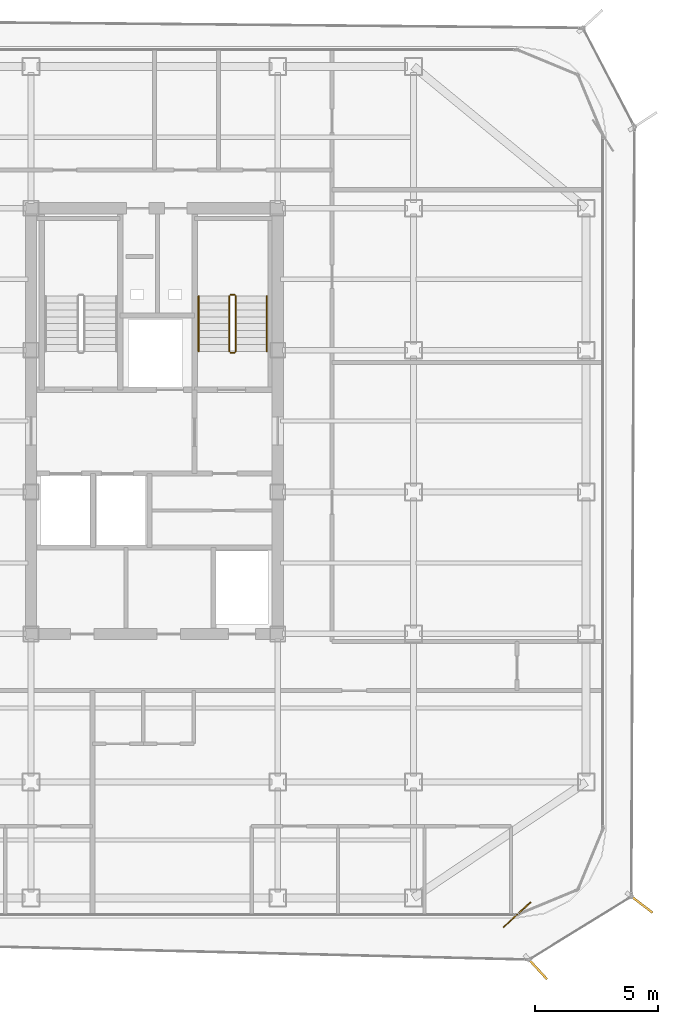
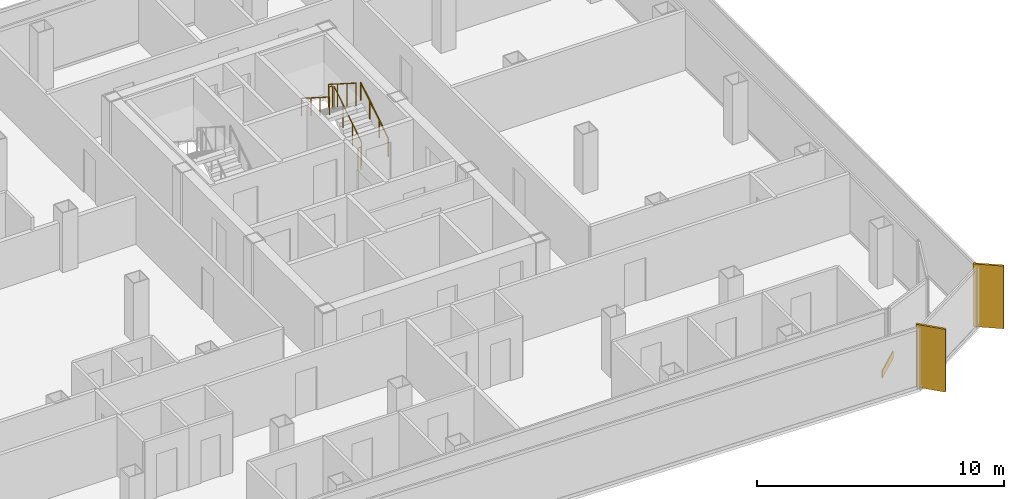
# One storey, part 14 of 15: 6 railings, 2 shading devices, 1 covering.
"""IFC4 building model written with IfcOpenShell, lengths in metres."""

import ifcopenshell
import ifcopenshell.guid

model = None  # the IFC model being written
_history = None  # IfcOwnerHistory: only IFC2X3 demands one
_inside = {}  # id of a spatial element -> (the spatial element, [elements in it])
_under = {}  # id of a project, library or spatial element -> (it, [spatial elements below it])
_declared = {}  # id of a project -> (the project, [libraries it declares])
_typed = {}  # id of a type object -> (the type object, [elements of that type])
_made_of = {}  # id of a material, layer set ... -> (it, [elements and type objects made of it])


def new_model(schema):
    """Start an empty IFC model of exactly this schema.

    Asked for "IFC4X3", IfcOpenShell would pick the latest addendum, in which some entities
    have other attributes; the version numbers below select the first issue.
    IFC2X3 requires an IfcOwnerHistory on every rooted entity: one is made here for all.
    """
    global model, _history
    if schema == "IFC4X3":
        model = ifcopenshell.file(schema_version=(4, 3, 0, 0))
    else:
        model = ifcopenshell.file(schema=schema)
    _inside.clear()
    _under.clear()
    _declared.clear()
    _typed.clear()
    _made_of.clear()
    _history = None
    if model.schema == "IFC2X3":
        org = make("IfcOrganization", Name="unknown")
        user = make(
            "IfcPersonAndOrganization",
            ThePerson=make("IfcPerson", FamilyName="unknown"),
            TheOrganization=org,
        )
        app = make(
            "IfcApplication",
            ApplicationDeveloper=org,
            Version="unknown",
            ApplicationFullName="unknown",
            ApplicationIdentifier="unknown",
        )
        _history = make(
            "IfcOwnerHistory",
            OwningUser=user,
            OwningApplication=app,
            ChangeAction="ADDED",
            CreationDate=0,
        )
    return model


def make(cls, **values):
    """One entity of the class cls with the attributes given. An attribute that is None is left unset."""
    return model.create_entity(
        cls, **{name: value for name, value in values.items() if value is not None}
    )


def rooted(cls, **values):
    """An entity with a GlobalId (a new one), such as an element, a storey or a relation."""
    return make(cls, GlobalId=ifcopenshell.guid.new(), OwnerHistory=_history, **values)


def si_unit(unit_type, name, prefix=None):
    """IfcSIUnit, for example si_unit("LENGTHUNIT", "METRE", prefix="MILLI")."""
    return make("IfcSIUnit", UnitType=unit_type, Prefix=prefix, Name=name)


def assignment(units):
    """IfcUnitAssignment: the units of a project."""
    return None if units is None else make("IfcUnitAssignment", Units=units)


def point(xyz):
    """IfcCartesianPoint."""
    return None if xyz is None else make("IfcCartesianPoint", Coordinates=xyz)


def direction(xyz):
    """IfcDirection."""
    return None if xyz is None else make("IfcDirection", DirectionRatios=xyz)


def frame(location, z_axis=None, x_axis=None):
    """IfcAxis2Placement3D, a coordinate frame: its origin and axes. An axis left out is left unset."""
    return make(
        "IfcAxis2Placement3D",
        Location=point(location),
        Axis=direction(z_axis),
        RefDirection=direction(x_axis),
    )


def frame_2d(location, x_axis=None):
    """IfcAxis2Placement2D, a coordinate frame in the plane: its origin and x axis."""
    return make(
        "IfcAxis2Placement2D", Location=point(location), RefDirection=direction(x_axis)
    )


def origin():
    """The frame at (0, 0, 0) with its axes left unset."""
    return frame((0.0, 0.0, 0.0))


def origin_2d():
    """The frame at (0, 0) in the plane with its x axis left unset."""
    return frame_2d((0.0, 0.0))


def place(relative_to, where):
    """IfcLocalPlacement: puts the frame where relative to a parent placement (None: the world)."""
    return make(
        "IfcLocalPlacement", PlacementRelTo=relative_to, RelativePlacement=where
    )


def context(
    kind, dimensions, precision=None, world=None, true_north=None, identifier=None
):
    """IfcGeometricRepresentationContext, for example the 3D "Model" context."""
    return make(
        "IfcGeometricRepresentationContext",
        ContextIdentifier=identifier,
        ContextType=kind,
        CoordinateSpaceDimension=dimensions,
        Precision=precision,
        WorldCoordinateSystem=world,
        TrueNorth=true_north,
    )


def subcontext(parent, identifier, kind, view, scale=None):
    """IfcGeometricRepresentationSubContext, for example "Body" below "Model"."""
    return make(
        "IfcGeometricRepresentationSubContext",
        ContextIdentifier=identifier,
        ContextType=kind,
        ParentContext=parent,
        TargetScale=scale,
        TargetView=view,
    )


def project(units=None, contexts=None):
    """IfcProject with its units and contexts."""
    return rooted(
        "IfcProject",
        Name="project",
        RepresentationContexts=contexts,
        UnitsInContext=assignment(units),
    )


def spatial(cls, under=None, at=None, **own):
    """A site, building, storey or space (cls), placed at a placement, below another one or the project."""
    s = rooted(cls, ObjectPlacement=at, **own)
    if under is not None:
        _under.setdefault(under.id(), (under, []))[1].append(s)
    return s


def profile(cls, at=None, kind="AREA", **sizes):
    """A parametric profile (cls). Its sizes go by their IFC names, for example OverallWidth=200.0."""
    return make(cls, ProfileType=kind, Position=at, **sizes)


def rectangle(**sizes):
    """IfcRectangleProfileDef."""
    return profile("IfcRectangleProfileDef", **sizes)


def circle(**sizes):
    """IfcCircleProfileDef."""
    return profile("IfcCircleProfileDef", **sizes)


def extrude(swept, where, along, depth):
    """IfcExtrudedAreaSolid: the profile swept, set in the frame where, extruded along a direction by depth."""
    return make(
        "IfcExtrudedAreaSolid",
        SweptArea=swept,
        Position=where,
        ExtrudedDirection=direction(along),
        Depth=depth,
    )


def shape(context_of_items, identifier, shape_type, items):
    """IfcShapeRepresentation: the items that make up one representation, for example the "Body"."""
    return make(
        "IfcShapeRepresentation",
        ContextOfItems=context_of_items,
        RepresentationIdentifier=identifier,
        RepresentationType=shape_type,
        Items=items,
    )


def source(mapping_origin, context_of_items, identifier, shape_type, items):
    """IfcRepresentationMap: a shape defined once, which mapped items show again and again."""
    return make(
        "IfcRepresentationMap",
        MappingOrigin=mapping_origin,
        MappedRepresentation=shape(context_of_items, identifier, shape_type, items),
    )


def transform(
    local_origin,
    x_axis=None,
    y_axis=None,
    z_axis=None,
    scale=None,
    scale2=None,
    scale3=None,
    uniform=True,
):
    """IfcCartesianTransformationOperator3D, or its non-uniform kind. x_axis, y_axis, z_axis: its Axis1, 2, 3."""
    if uniform:
        return make(
            "IfcCartesianTransformationOperator3D",
            Axis1=direction(x_axis),
            Axis2=direction(y_axis),
            LocalOrigin=point(local_origin),
            Scale=scale,
            Axis3=direction(z_axis),
        )
    return make(
        "IfcCartesianTransformationOperator3DnonUniform",
        Axis1=direction(x_axis),
        Axis2=direction(y_axis),
        LocalOrigin=point(local_origin),
        Scale=scale,
        Axis3=direction(z_axis),
        Scale2=scale2,
        Scale3=scale3,
    )


def mapped(mapping_source, mapping_target):
    """IfcMappedItem: shows the shape of a source again, moved by a transform."""
    return make(
        "IfcMappedItem", MappingSource=mapping_source, MappingTarget=mapping_target
    )


def material(Name=None, Category=None):
    """IfcMaterial."""
    return make("IfcMaterial", Name=Name, Category=Category)


def layer(
    of_material, thickness, ventilated=None, Name=None, Category=None, Priority=None
):
    """IfcMaterialLayer: one layer of a wall or slab, of a material (None: an air gap)."""
    return make(
        "IfcMaterialLayer",
        Material=of_material,
        LayerThickness=thickness,
        IsVentilated=ventilated,
        Name=Name,
        Category=Category,
        Priority=Priority,
    )


def layer_set(layers, Name=None):
    """IfcMaterialLayerSet."""
    return make("IfcMaterialLayerSet", MaterialLayers=layers, LayerSetName=Name)


def made_of(thing, what):
    """Note that an element or type object is made of a material, layer set ...; save() writes the relation."""
    if what is not None:
        _made_of.setdefault(what.id(), (what, []))[1].append(thing)
    return thing


def type_object(cls, material=None, **own):
    """A type object (cls), such as IfcWallType, which elements share."""
    return made_of(rooted(cls, **own), material)


def element(
    cls,
    number,
    at=None,
    inside=None,
    cuts=None,
    type_object=None,
    material=None,
    context=None,
    identifier="Body",
    shape_type=None,
    held_by="IfcProductDefinitionShape",
    body=None,
    shapes=None,
    **own,
):
    """One element of the class cls, such as IfcWall. Its Tag is "e" and its number.

    at: its placement. inside: the storey or other place that contains it. cuts: it is an
    opening in that element (IfcRelVoidsElement). A single representation is given by context,
    identifier, shape_type and body (its items); several are given by shapes. held_by: the class
    of the entity that holds the representations. save() writes the other relations.
    """
    e = rooted(cls, Tag="e%d" % number, ObjectPlacement=at, **own)
    if body is not None:
        shapes = [shape(context, identifier, shape_type, body)]
    if shapes is not None:
        e.Representation = make(held_by, Representations=shapes)
    if inside is not None:
        _inside.setdefault(inside.id(), (inside, []))[1].append(e)
    if cuts is not None:
        rooted(
            "IfcRelVoidsElement", RelatingBuildingElement=cuts, RelatedOpeningElement=e
        )
    if type_object is not None:
        _typed.setdefault(type_object.id(), (type_object, []))[1].append(e)
    return made_of(e, material)


def aggregate(whole, parts):
    """IfcRelAggregates: a whole, such as a stair, and the parts it consists of."""
    return rooted("IfcRelAggregates", RelatingObject=whole, RelatedObjects=parts)


def save(model, path):
    """Write the relations noted so far, then the file.

    IfcRelAggregates (storeys below a building ...), IfcRelContainedInSpatialStructure (elements
    in a storey), IfcRelDefinesByType, IfcRelAssociatesMaterial and IfcRelDeclares: one each for
    every whole, place, type object, material and project.
    """
    for whole, parts in _under.values():
        aggregate(whole, parts)
    for where, things in _inside.values():
        rooted(
            "IfcRelContainedInSpatialStructure",
            RelatedElements=things,
            RelatingStructure=where,
        )
    for kind, things in _typed.values():
        rooted("IfcRelDefinesByType", RelatedObjects=things, RelatingType=kind)
    for what, things in _made_of.values():
        rooted("IfcRelAssociatesMaterial", RelatedObjects=things, RelatingMaterial=what)
    for by, libraries in _declared.values():
        rooted("IfcRelDeclares", RelatingContext=by, RelatedDefinitions=libraries)
    model.write(path)


model = new_model("IFC4")

# Units and contexts
model_context = context("Model", 3, precision=1e-05, world=origin(), true_north=direction((0.0, 1.0)))
body_context = subcontext(model_context, "Body", "Model", "MODEL_VIEW")
ifc_project = project(units=[si_unit("LENGTHUNIT", "METRE"), si_unit("AREAUNIT", "SQUARE_METRE"), si_unit("VOLUMEUNIT", "CUBIC_METRE"), si_unit("PLANEANGLEUNIT", "RADIAN"), si_unit("MASSUNIT", "GRAM", prefix="KILO")], contexts=[model_context])

# Site, building, storey
site_placement = place(None, origin())
site = spatial("IfcSite", under=ifc_project, at=site_placement, CompositionType="ELEMENT")
building_placement = place(site_placement, origin())
building = spatial("IfcBuilding", under=site, at=building_placement, Name="Kolveth Station Tower", CompositionType="ELEMENT")
storey_placement = place(building_placement, frame((0.0, 0.0, 181.699951171875)))
storey = spatial("IfcBuildingStorey", under=building, at=storey_placement, Name="L51", CompositionType="ELEMENT", Elevation=181.699951171875)

# Railings
ifc_material_1 = material(Name="Painted Steel S355 balustrade", Category="steel")
railing_type_1 = type_object("IfcRailingType", Name="Guard_GR2", PredefinedType="BALUSTRADE", material=ifc_material_1)
railing_1_placement = place(storey_placement, frame((26.800048828125, 22.949951171875, 0.177734375)))
element("IfcRailing", 1, at=railing_1_placement, inside=storey, type_object=railing_type_1, Name="L51 ST2 stair guard 1", PredefinedType="BALUSTRADE", context=body_context, shape_type="SweptSolid", body=[
    extrude(circle(Radius=0.02392578125, at=origin_2d()), frame((0.0, 0.0, 1.1259765625), z_axis=(0.0, 0.84418770128, 0.536047689118), x_axis=(-1.0, 0.0, 0.0)), (0.0, 0.0, 1.0), 2.6533203125),
    extrude(circle(Radius=0.02099609375, at=origin_2d()), origin(), (0.0, 0.0, 1.0), 1.101806640625),
    extrude(circle(Radius=0.02099609375, at=origin_2d()), frame((0.0, 0.74658203125, 0.47412109375)), (0.0, 0.0, 1.0), 1.101806640625),
    extrude(circle(Radius=0.02099609375, at=origin_2d()), frame((0.0, 1.493408203125, 0.9482421875)), (0.0, 0.0, 1.0), 1.101806640625),
    extrude(circle(Radius=0.02099609375, at=origin_2d()), frame((0.0, 2.239990234375, 1.42236328125)), (0.0, 0.0, 1.0), 1.101806640625),
])
railing_2_placement = place(storey_placement, frame((26.75, 25.239990234375, 1.60009765625)))
element("IfcRailing", 2, at=railing_2_placement, inside=storey, type_object=railing_type_1, Name="L51 ST2 stair guard 2", PredefinedType="BALUSTRADE", context=body_context, shape_type="SweptSolid", body=[
    extrude(circle(Radius=0.02392578125, at=origin_2d()), frame((0.0, 0.0, 1.1259765625), z_axis=(-1.0, 0.0, 0.0), x_axis=(0.0, -1.0, 0.0)), (0.0, 0.0, 1.0), 0.159912109375),
    extrude(circle(Radius=0.02099609375, at=origin_2d()), origin(), (0.0, 0.0, 1.0), 1.101806640625),
    extrude(circle(Radius=0.02099609375, at=origin_2d()), frame((-0.159912109375, 0.0, 0.0)), (0.0, 0.0, 1.0), 1.101806640625),
])
railing_3_placement = place(storey_placement, frame((26.5400390625, 25.18994140625, 1.77783203125)))
element("IfcRailing", 3, at=railing_3_placement, inside=storey, type_object=railing_type_1, Name="L51 ST2 stair guard 3", PredefinedType="BALUSTRADE", context=body_context, shape_type="SweptSolid", body=[
    extrude(circle(Radius=0.02392578125, at=origin_2d()), frame((0.0, 0.0, 1.1259765625), z_axis=(0.0, -0.8442293374, 0.53598211339), x_axis=(1.0, 0.0, 0.0)), (0.0, 0.0, 1.0), 2.6533203125),
    extrude(circle(Radius=0.02099609375, at=origin_2d()), origin(), (0.0, 0.0, 1.0), 1.101806640625),
    extrude(circle(Radius=0.02099609375, at=origin_2d()), frame((0.0, -0.74658203125, 0.47412109375)), (0.0, 0.0, 1.0), 1.101806640625),
    extrude(circle(Radius=0.02099609375, at=origin_2d()), frame((0.0, -1.493408203125, 0.947998046875)), (0.0, 0.0, 1.0), 1.101806640625),
    extrude(circle(Radius=0.02099609375, at=origin_2d()), frame((0.0, -2.239990234375, 1.422119140625)), (0.0, 0.0, 1.0), 1.101806640625),
])
railing_4_placement = place(storey_placement, frame((26.75, 22.89990234375, 0.0)))
element("IfcRailing", 4, at=railing_4_placement, inside=storey, type_object=railing_type_1, Name="L51 ST2 stair guard 4", PredefinedType="BALUSTRADE", context=body_context, shape_type="SweptSolid", body=[
    extrude(circle(Radius=0.02392578125, at=origin_2d()), frame((0.0, 0.0, 1.1259765625), z_axis=(-1.0, 0.0, 0.0), x_axis=(0.0, -1.0, 0.0)), (0.0, 0.0, 1.0), 0.159912109375),
    extrude(circle(Radius=0.02099609375, at=origin_2d()), origin(), (0.0, 0.0, 1.0), 1.101806640625),
    extrude(circle(Radius=0.02099609375, at=origin_2d()), frame((-0.159912109375, 0.0, 0.0)), (0.0, 0.0, 1.0), 1.101806640625),
])
ifc_material_2 = material(Name="Brushed stainless steel", Category="steel")
railing_type_2 = type_object("IfcRailingType", Name="Handrail_HR1", PredefinedType="HANDRAIL", material=ifc_material_2)
railing_5_placement = place(storey_placement, frame((28.050048828125, 22.949951171875, 0.177734375)))
element("IfcRailing", 5, at=railing_5_placement, inside=storey, type_object=railing_type_2, Name="L51 ST2 stair handrail 1", PredefinedType="HANDRAIL", context=body_context, shape_type="SweptSolid", body=[
    extrude(circle(Radius=0.02392578125, at=origin_2d()), frame((0.0, 0.0, 0.8759765625), z_axis=(0.0, 0.84418770128, 0.536047689118), x_axis=(-1.0, 0.0, 0.0)), (0.0, 0.0, 1.0), 2.6533203125),
    extrude(circle(Radius=0.02099609375, at=origin_2d()), origin(), (0.0, 0.0, 1.0), 0.851806640625),
    extrude(circle(Radius=0.02099609375, at=origin_2d()), frame((0.0, 0.74658203125, 0.47412109375)), (0.0, 0.0, 1.0), 0.851806640625),
    extrude(circle(Radius=0.02099609375, at=origin_2d()), frame((0.0, 1.493408203125, 0.9482421875)), (0.0, 0.0, 1.0), 0.851806640625),
    extrude(circle(Radius=0.02099609375, at=origin_2d()), frame((0.0, 2.239990234375, 1.42236328125)), (0.0, 0.0, 1.0), 0.851806640625),
])
railing_6_placement = place(storey_placement, frame((25.2900390625, 25.18994140625, 1.77783203125)))
element("IfcRailing", 6, at=railing_6_placement, inside=storey, type_object=railing_type_2, Name="L51 ST2 stair handrail 2", PredefinedType="HANDRAIL", context=body_context, shape_type="SweptSolid", body=[
    extrude(circle(Radius=0.02392578125, at=origin_2d()), frame((0.0, 0.0, 0.8759765625), z_axis=(0.0, -0.8442293374, 0.53598211339), x_axis=(1.0, 0.0, 0.0)), (0.0, 0.0, 1.0), 2.6533203125),
    extrude(circle(Radius=0.02099609375, at=origin_2d()), origin(), (0.0, 0.0, 1.0), 0.851806640625),
    extrude(circle(Radius=0.02099609375, at=origin_2d()), frame((0.0, -0.74658203125, 0.47412109375)), (0.0, 0.0, 1.0), 0.851806640625),
    extrude(circle(Radius=0.02099609375, at=origin_2d()), frame((0.0, -1.493408203125, 0.947998046875)), (0.0, 0.0, 1.0), 0.851806640625),
    extrude(circle(Radius=0.02099609375, at=origin_2d()), frame((0.0, -2.239990234375, 1.422119140625)), (0.0, 0.0, 1.0), 0.851806640625),
])

# Shading devices
ifc_material_3 = material(Name="Black anodized aluminium 6063-T6", Category="aluminium")
shading_device_type = type_object("IfcShadingDeviceType", Name="FIN_VF1", PredefinedType="USERDEFINED", material=ifc_material_3)
shared_shape_1 = source(origin(), body_context, "Body", "SweptSolid", [
    extrude(rectangle(XDim=1.25, YDim=0.090087890625, at=origin_2d()), origin(), (0.0, 0.0, 1.0), 3.10009765625),
])
for number, where, z_axis, x_axis, name in (
    (7, (38.989990234375, -2.035888671875, 0.0), (0.0, 0.0, 1.0), (0.676618982095, -0.736333316555, 0.0), "L51 Dark-Aluminium Solar Fin 1"),
    (8, (43.193115234375, 0.5830078125, 0.0), (0.0, 0.0, 1.0), (0.793990398648, -0.607930297695, 0.0), "L51 Dark-Aluminium Solar Fin 2"),
):
    element("IfcShadingDevice", number, at=place(storey_placement, frame(where, z_axis=z_axis, x_axis=x_axis)), inside=storey, type_object=shading_device_type, Name=name, ObjectType="FIN", PredefinedType="USERDEFINED", context=body_context, shape_type="MappedRepresentation", body=[
        mapped(shared_shape_1, transform((0.0, 0.0, 0.0), x_axis=(1.0, 0.0, 0.0), y_axis=(0.0, 1.0, 0.0), z_axis=(0.0, 0.0, 1.0), scale=1.0)),
    ])

# Covering
ifc_material_4 = material(Name="Charcoal anodized aluminium spandrel cladding", Category="aluminium")
ifc_layer = layer(ifc_material_4, 0.044921875)
ifc_layer_set = layer_set([ifc_layer], Name="Charcoal anodized aluminium spandrel cladding")
covering_type = type_object("IfcCoveringType", Name="Clad_CD1", PredefinedType="CLADDING", material=ifc_layer_set)
shared_shape_2 = source(origin(), body_context, "Body", "SweptSolid", [
    extrude(rectangle(XDim=1.5, YDim=0.044921875, at=origin_2d()), origin(), (0.0, 0.0, 1.0), 0.360107421875),
])
covering_placement = place(storey_placement, frame((38.199951171875, 0.1201171875, 0.0), z_axis=(0.0, 0.0, 1.0), x_axis=(0.736333316555, 0.676618982095, 0.0)))
element("IfcCovering", 9, at=covering_placement, inside=storey, type_object=covering_type, Name="L51 Spandrel Edge Cladding 1", PredefinedType="CLADDING", context=body_context, shape_type="MappedRepresentation", body=[
    mapped(shared_shape_2, transform((0.0, 0.0, 0.0), x_axis=(1.0, 0.0, 0.0), y_axis=(0.0, 1.0, 0.0), z_axis=(0.0, 0.0, 1.0), scale=1.0)),
])

save(model, "model.ifc")
